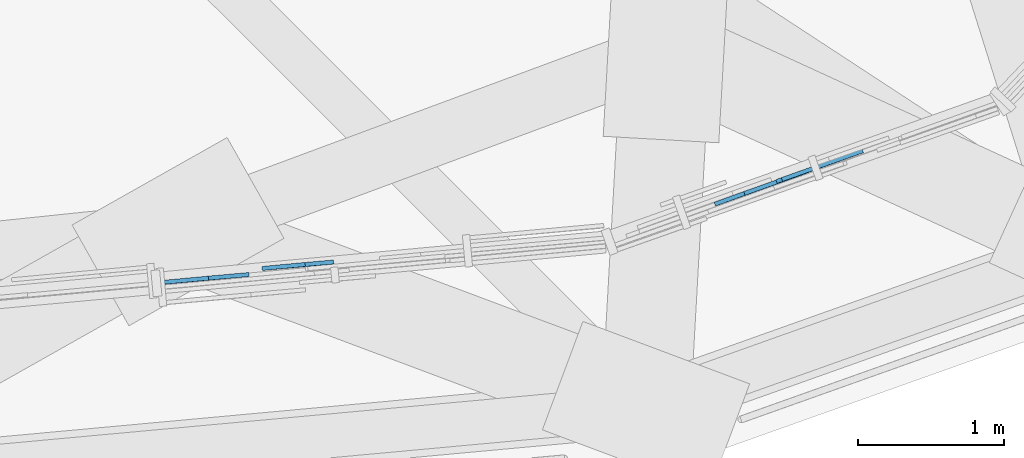
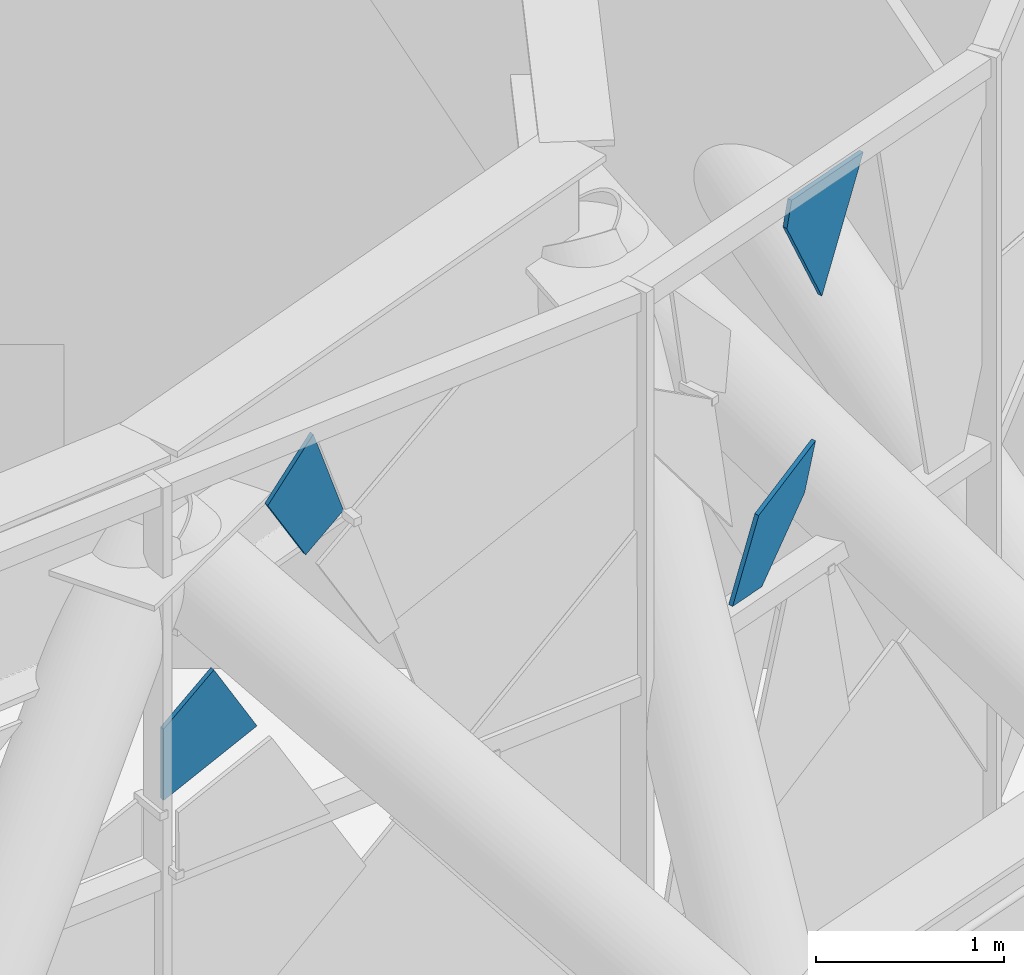
# One storey, part 20 of 35: 4 plates, 2 elements without a shape of their own.
"""IFC4 building model written with IfcOpenShell, lengths in metres."""

from ifc_helpers import new_model, si_unit, direction, frame, origin, place, context, subcontext, project, spatial, polyline, outline, extrude, material, layer, layer_set, type_object, element, aggregate, save


model = new_model("IFC4")

# Units and contexts
model_context = context("Model", 3, precision=1e-05, world=origin(), true_north=direction((0.0, 1.0)))
body_context = subcontext(model_context, "Body", "Model", "MODEL_VIEW")
ifc_project = project(units=[si_unit("LENGTHUNIT", "METRE"), si_unit("AREAUNIT", "SQUARE_METRE"), si_unit("VOLUMEUNIT", "CUBIC_METRE"), si_unit("PLANEANGLEUNIT", "RADIAN"), si_unit("MASSUNIT", "GRAM", prefix="KILO")], contexts=[model_context])

# Site, building, storey
site_placement = place(None, origin())
site = spatial("IfcSite", under=ifc_project, at=site_placement, CompositionType="ELEMENT")
building_placement = place(site_placement, origin())
building = spatial("IfcBuilding", under=site, at=building_placement, Name="Mestral Congress Tower", CompositionType="ELEMENT")
storey_placement = place(building_placement, frame((0.0, 0.0, 196.199951171875)))
storey = spatial("IfcBuildingStorey", under=building, at=storey_placement, Name="L46", CompositionType="ELEMENT", Elevation=196.199951171875)

# Curtain wall, plates
ifc_material_1 = material(Name="Clear low-emissivity double glazing", Category="glass")
curtain_wall_type = type_object("IfcCurtainWallType", Name="Facade refuge band screen", PredefinedType="USERDEFINED", material=ifc_material_1)
placement = place(storey_placement, origin())
curtain_wall_1 = element("IfcCurtainWall", 1, at=placement, inside=storey, type_object=curtain_wall_type, Name="Facade refuge band screen corner 1", ObjectType="CURTAIN WALL", PredefinedType="USERDEFINED")
ifc_material_2 = material(Name="Anodised aluminium", Category="aluminium")
ifc_layer_1 = layer(ifc_material_2, 0.028076171875)
ifc_layer_set_1 = layer_set([ifc_layer_1], Name="Anodised aluminium")
plate_type_1 = type_object("IfcPlateType", Name="Facade refuge band screen brace cover panel", PredefinedType="CURTAIN_PANEL", material=ifc_layer_set_1)
plate_1_placement = place(storey_placement, frame((23.03662109375, -17.98828125, 3.134521484375), z_axis=(0.334716744577, -0.942315256924, 0.002580206809), x_axis=(0.840686994651, 0.29985240431, 0.450925617651)))
plate_1 = element("IfcPlate", 2, at=plate_1_placement, type_object=plate_type_1, Name="Facade refuge band screen brace cover panel", PredefinedType="CURTAIN_PANEL", context=body_context, shape_type="SweptSolid", body=[
    extrude(outline(polyline([(0.0, 0.0), (0.5224717695257928, -2.7755575615628914e-17), (0.3111398271567687, -0.21654563271335447), (-0.1927658001156193, -0.43408060101105805), (-0.406219336413583, -0.3262426751024889), (0.0, 0.0)])), origin(), (0.0, 0.0, -1.0), 0.028076171875),
])
plate_2_placement = place(storey_placement, frame((23.847412109375, -17.69580078125, 5.030029296875), z_axis=(0.335349387775, -0.942091229444, 0.002214390112), x_axis=(-0.389563338859, -0.140809402502, -0.910172026149)))
plate_2 = element("IfcPlate", 3, at=plate_2_placement, type_object=plate_type_1, Name="Facade refuge band screen brace cover panel", PredefinedType="CURTAIN_PANEL", context=body_context, shape_type="SweptSolid", body=[
    extrude(outline(polyline([(0.0, 0.0), (0.8253612102852852, 0.0), (0.4082657978190049, -0.5033650709860448), (0.24367255284003145, -0.5354196371031725), (0.0, 0.0)])), origin(), (0.0, 0.0, -1.0), 0.028076171875),
])
aggregate(curtain_wall_1, [plate_1, plate_2])

curtain_wall_2 = element("IfcCurtainWall", 4, at=placement, inside=storey, type_object=curtain_wall_type, Name="Facade refuge band screen face 1", ObjectType="CURTAIN WALL", PredefinedType="USERDEFINED")
ifc_layer_2 = layer(ifc_material_1, 0.028076171875)
ifc_layer_set_2 = layer_set([ifc_layer_2], Name="Clear low-emissivity double glazing")
plate_type_2 = type_object("IfcPlateType", Name="Facade refuge band screen panel", PredefinedType="CURTAIN_PANEL", material=ifc_layer_set_2)
plate_3_placement = place(storey_placement, frame((20.023193359375, -18.4755859375, 5.011962890625), z_axis=(0.091154405712, -0.995834720883, 0.002020644406), x_axis=(0.323480894349, 0.027690863897, -0.945829438666)))
plate_3 = element("IfcPlate", 5, at=plate_3_placement, type_object=plate_type_2, Name="Refuge screen glass unit", PredefinedType="CURTAIN_PANEL", context=body_context, shape_type="SweptSolid", body=[
    extrude(outline(polyline([(0.0, 0.0), (0.6037506716954767, 2.7755575615628914e-17), (0.7037143104779001, -0.2945772489210862), (0.2281848636657027, -0.3917783963924848), (0.0, 0.0)])), origin(), (0.0, 0.0, -1.0), 0.028076171875),
])
plate_4_placement = place(storey_placement, frame((19.033447265625, -18.6005859375, 3.05908203125), z_axis=(0.091512020755, -0.99580238318, 0.00177868216), x_axis=(-1.8123334e-05, 0.00178451152, 0.999998407594)))
plate_4 = element("IfcPlate", 6, at=plate_4_placement, type_object=plate_type_2, Name="Refuge screen glass unit", PredefinedType="CURTAIN_PANEL", context=body_context, shape_type="SweptSolid", body=[
    extrude(outline(polyline([(0.0, 0.0), (0.4614263534880087, 0.0), (0.7141600456327442, -0.3275592659646555), (0.23861381978952995, -0.6072804560977552), (0.0, 0.0)])), origin(), (0.0, 0.0, -1.0), 0.028076171875),
])
aggregate(curtain_wall_2, [plate_3, plate_4])

save(model, "model.ifc")
